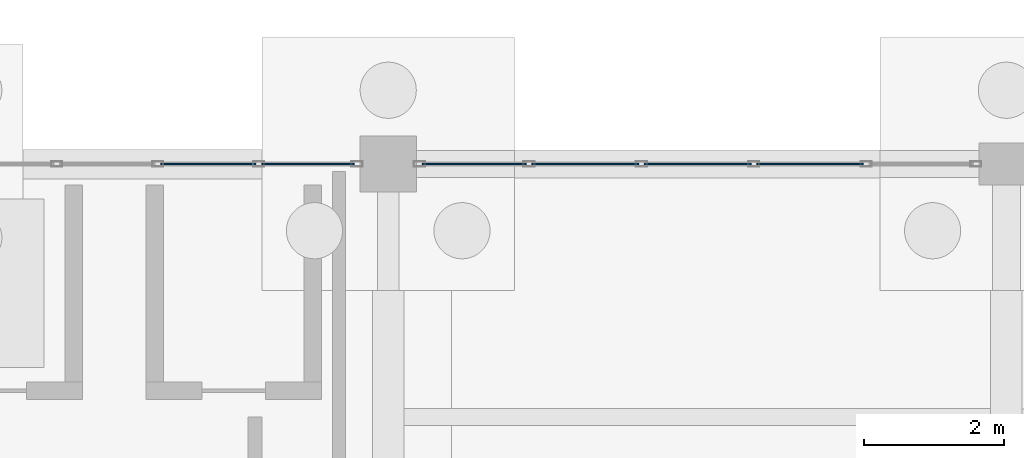
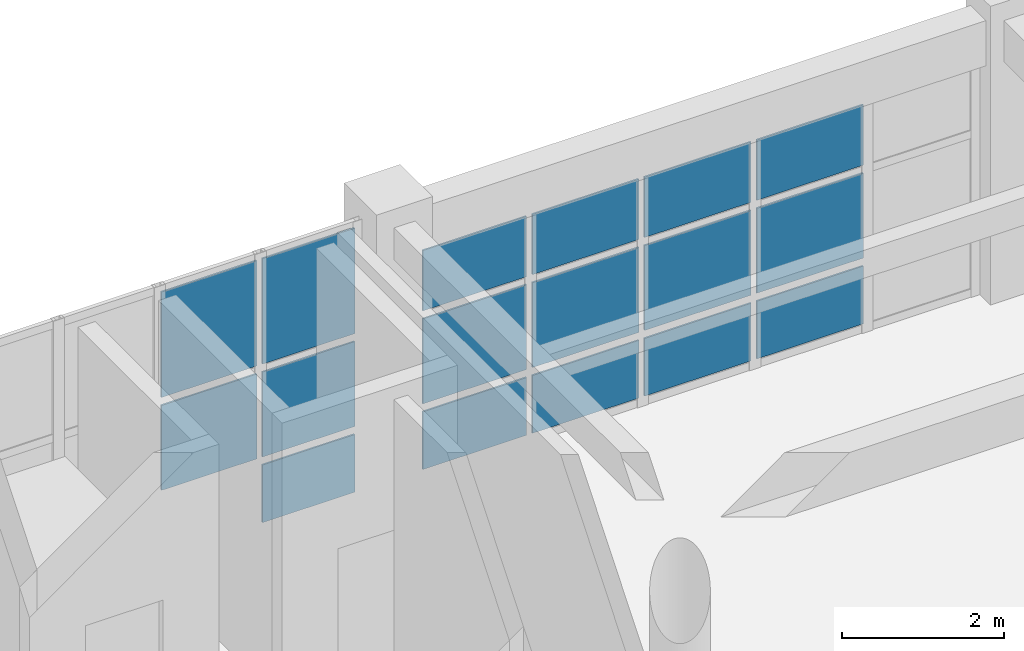
# One storey, part 113 of 166: 17 plates, 2 elements without a shape of their own.
"""IFC4 building model written with IfcOpenShell, lengths in metres."""

from ifc_helpers import new_model, si_unit, direction, frame, origin, origin_2d, place, context, subcontext, project, spatial, rectangle, extrude, material, layer, layer_set, type_object, element, aggregate, save


model = new_model("IFC4")

# Units and contexts
model_context = context("Model", 3, precision=1e-05, world=origin(), true_north=direction((0.0, 1.0)))
body_context = subcontext(model_context, "Body", "Model", "MODEL_VIEW")
ifc_project = project(units=[si_unit("LENGTHUNIT", "METRE"), si_unit("AREAUNIT", "SQUARE_METRE"), si_unit("VOLUMEUNIT", "CUBIC_METRE"), si_unit("PLANEANGLEUNIT", "RADIAN"), si_unit("MASSUNIT", "GRAM", prefix="KILO")], contexts=[model_context])

# Site, building, storey
site_placement = place(None, origin())
site = spatial("IfcSite", under=ifc_project, at=site_placement, CompositionType="ELEMENT")
building_placement = place(site_placement, origin())
building = spatial("IfcBuilding", under=site, at=building_placement, Name="Kharva Crest Polytechnic", CompositionType="ELEMENT")
storey_placement = place(building_placement, origin())
storey = spatial("IfcBuildingStorey", under=building, at=storey_placement, Name="L00", CompositionType="ELEMENT", Elevation=0.0)

# Curtain wall, plates
ifc_material = material(Name="Tempered insulated glass", Category="glass")
curtain_wall_type = type_object("IfcCurtainWallType", Name="CW-SYS-COURT", PredefinedType="USERDEFINED", material=ifc_material)
curtain_wall_1_placement = place(storey_placement, origin())
curtain_wall_1 = element("IfcCurtainWall", 1, at=curtain_wall_1_placement, inside=storey, type_object=curtain_wall_type, Name="L00 Glazed Curtain Wall CW-024", ObjectType="CURTAIN WALL", PredefinedType="USERDEFINED")
ifc_layer = layer(ifc_material, 0.02392578125, Name="Tempered insulated glass")
ifc_layer_set = layer_set([ifc_layer], Name="Tempered insulated glass")
plate_type = type_object("IfcPlateType", Name="CWP-GLZ-24", PredefinedType="CURTAIN_PANEL", material=ifc_layer_set)
plate_1_placement = place(storey_placement, frame((126.0048828125, 122.0, 0.119873046875), z_axis=(0.0, 0.0, 1.0), x_axis=(-1.0, 0.0, 0.0)))
plate_1 = element("IfcPlate", 2, at=plate_1_placement, type_object=plate_type, Name="CW-024 panel 2.1", PredefinedType="CURTAIN_PANEL", context=body_context, shape_type="SweptSolid", body=[
    extrude(rectangle(XDim=1.52001953125, YDim=0.02392578125, at=origin_2d()), origin(), (0.0, 0.0, 1.0), 0.8701171875),
])
plate_2_placement = place(storey_placement, frame((126.0048828125, 122.0, 1.10986328125), z_axis=(0.0, 0.0, 1.0), x_axis=(-1.0, 0.0, 0.0)))
plate_2 = element("IfcPlate", 3, at=plate_2_placement, type_object=plate_type, Name="CW-024 panel 2.2", PredefinedType="CURTAIN_PANEL", context=body_context, shape_type="SweptSolid", body=[
    extrude(rectangle(XDim=1.52001953125, YDim=0.02392578125, at=origin_2d()), origin(), (0.0, 0.0, 1.0), 1.280029296875),
])
plate_3_placement = place(storey_placement, frame((126.0048828125, 122.0, 2.51025390625), z_axis=(0.0, 0.0, 1.0), x_axis=(-1.0, 0.0, 0.0)))
plate_3 = element("IfcPlate", 4, at=plate_3_placement, type_object=plate_type, Name="CW-024 panel 2.3", PredefinedType="CURTAIN_PANEL", context=body_context, shape_type="SweptSolid", body=[
    extrude(rectangle(XDim=1.52001953125, YDim=0.02392578125, at=origin_2d()), origin(), (0.0, 0.0, 1.0), 0.909912109375),
])
plate_4_placement = place(storey_placement, frame((124.405029296875, 122.0, 0.119873046875), z_axis=(0.0, 0.0, 1.0), x_axis=(-1.0, 0.0, 0.0)))
plate_4 = element("IfcPlate", 5, at=plate_4_placement, type_object=plate_type, Name="CW-024 panel 3.1", PredefinedType="CURTAIN_PANEL", context=body_context, shape_type="SweptSolid", body=[
    extrude(rectangle(XDim=1.52001953125, YDim=0.02392578125, at=origin_2d()), origin(), (0.0, 0.0, 1.0), 0.8701171875),
])
plate_5_placement = place(storey_placement, frame((124.405029296875, 122.0, 1.10986328125), z_axis=(0.0, 0.0, 1.0), x_axis=(-1.0, 0.0, 0.0)))
plate_5 = element("IfcPlate", 6, at=plate_5_placement, type_object=plate_type, Name="CW-024 panel 3.2", PredefinedType="CURTAIN_PANEL", context=body_context, shape_type="SweptSolid", body=[
    extrude(rectangle(XDim=1.52001953125, YDim=0.02392578125, at=origin_2d()), origin(), (0.0, 0.0, 1.0), 1.280029296875),
])
plate_6_placement = place(storey_placement, frame((124.405029296875, 122.0, 2.51025390625), z_axis=(0.0, 0.0, 1.0), x_axis=(-1.0, 0.0, 0.0)))
plate_6 = element("IfcPlate", 7, at=plate_6_placement, type_object=plate_type, Name="CW-024 panel 3.3", PredefinedType="CURTAIN_PANEL", context=body_context, shape_type="SweptSolid", body=[
    extrude(rectangle(XDim=1.52001953125, YDim=0.02392578125, at=origin_2d()), origin(), (0.0, 0.0, 1.0), 0.909912109375),
])
plate_7_placement = place(storey_placement, frame((122.804931640625, 122.0, 0.119873046875), z_axis=(0.0, 0.0, 1.0), x_axis=(-1.0, 0.0, 0.0)))
plate_7 = element("IfcPlate", 8, at=plate_7_placement, type_object=plate_type, Name="CW-024 panel 4.1", PredefinedType="CURTAIN_PANEL", context=body_context, shape_type="SweptSolid", body=[
    extrude(rectangle(XDim=1.52001953125, YDim=0.02392578125, at=origin_2d()), origin(), (0.0, 0.0, 1.0), 0.8701171875),
])
plate_8_placement = place(storey_placement, frame((122.804931640625, 122.0, 1.10986328125), z_axis=(0.0, 0.0, 1.0), x_axis=(-1.0, 0.0, 0.0)))
plate_8 = element("IfcPlate", 9, at=plate_8_placement, type_object=plate_type, Name="CW-024 panel 4.2", PredefinedType="CURTAIN_PANEL", context=body_context, shape_type="SweptSolid", body=[
    extrude(rectangle(XDim=1.52001953125, YDim=0.02392578125, at=origin_2d()), origin(), (0.0, 0.0, 1.0), 1.280029296875),
])
plate_9_placement = place(storey_placement, frame((122.804931640625, 122.0, 2.51025390625), z_axis=(0.0, 0.0, 1.0), x_axis=(-1.0, 0.0, 0.0)))
plate_9 = element("IfcPlate", 10, at=plate_9_placement, type_object=plate_type, Name="CW-024 panel 4.3", PredefinedType="CURTAIN_PANEL", context=body_context, shape_type="SweptSolid", body=[
    extrude(rectangle(XDim=1.52001953125, YDim=0.02392578125, at=origin_2d()), origin(), (0.0, 0.0, 1.0), 0.909912109375),
])
plate_10_placement = place(storey_placement, frame((121.22509765625, 122.0, 0.119873046875), z_axis=(0.0, 0.0, 1.0), x_axis=(-1.0, 0.0, 0.0)))
plate_10 = element("IfcPlate", 11, at=plate_10_placement, type_object=plate_type, Name="CW-024 panel 5.1", PredefinedType="CURTAIN_PANEL", context=body_context, shape_type="SweptSolid", body=[
    extrude(rectangle(XDim=1.47998046875, YDim=0.02392578125, at=origin_2d()), origin(), (0.0, 0.0, 1.0), 0.8701171875),
])
plate_11_placement = place(storey_placement, frame((121.22509765625, 122.0, 1.10986328125), z_axis=(0.0, 0.0, 1.0), x_axis=(-1.0, 0.0, 0.0)))
plate_11 = element("IfcPlate", 12, at=plate_11_placement, type_object=plate_type, Name="CW-024 panel 5.2", PredefinedType="CURTAIN_PANEL", context=body_context, shape_type="SweptSolid", body=[
    extrude(rectangle(XDim=1.47998046875, YDim=0.02392578125, at=origin_2d()), origin(), (0.0, 0.0, 1.0), 1.280029296875),
])
plate_12_placement = place(storey_placement, frame((121.22509765625, 122.0, 2.51025390625), z_axis=(0.0, 0.0, 1.0), x_axis=(-1.0, 0.0, 0.0)))
plate_12 = element("IfcPlate", 13, at=plate_12_placement, type_object=plate_type, Name="CW-024 panel 5.3", PredefinedType="CURTAIN_PANEL", context=body_context, shape_type="SweptSolid", body=[
    extrude(rectangle(XDim=1.47998046875, YDim=0.02392578125, at=origin_2d()), origin(), (0.0, 0.0, 1.0), 0.909912109375),
])
aggregate(curtain_wall_1, [plate_1, plate_2, plate_3, plate_4, plate_5, plate_6, plate_7, plate_8, plate_9, plate_10, plate_11, plate_12])

curtain_wall_2_placement = place(storey_placement, origin())
curtain_wall_2 = element("IfcCurtainWall", 14, at=curtain_wall_2_placement, inside=storey, type_object=curtain_wall_type, Name="L00 Glazed Curtain Wall CW-025", ObjectType="CURTAIN WALL", PredefinedType="USERDEFINED")
plate_13_placement = place(storey_placement, frame((118.85595703125, 122.0, 0.119873046875), z_axis=(0.0, 0.0, 1.0), x_axis=(-1.0, 0.0, 0.0)))
plate_13 = element("IfcPlate", 15, at=plate_13_placement, type_object=plate_type, Name="CW-025 panel 1.1", PredefinedType="CURTAIN_PANEL", context=body_context, shape_type="SweptSolid", body=[
    extrude(rectangle(XDim=1.318115234375, YDim=0.02392578125, at=origin_2d()), origin(), (0.0, 0.0, 1.0), 0.8701171875),
])
plate_14_placement = place(storey_placement, frame((118.85595703125, 122.0, 1.10986328125), z_axis=(0.0, 0.0, 1.0), x_axis=(-1.0, 0.0, 0.0)))
plate_14 = element("IfcPlate", 16, at=plate_14_placement, type_object=plate_type, Name="CW-025 panel 1.2", PredefinedType="CURTAIN_PANEL", context=body_context, shape_type="SweptSolid", body=[
    extrude(rectangle(XDim=1.318115234375, YDim=0.02392578125, at=origin_2d()), origin(), (0.0, 0.0, 1.0), 1.280029296875),
])
plate_15_placement = place(storey_placement, frame((118.85595703125, 122.0, 2.509765625), z_axis=(0.0, 0.0, 1.0), x_axis=(-1.0, 0.0, 0.0)))
plate_15 = element("IfcPlate", 17, at=plate_15_placement, type_object=plate_type, Name="CW-025 panel 1.3", PredefinedType="CURTAIN_PANEL", context=body_context, shape_type="SweptSolid", body=[
    extrude(rectangle(XDim=1.318115234375, YDim=0.02392578125, at=origin_2d()), origin(), (0.0, 0.0, 1.0), 1.590087890625),
])
plate_16_placement = place(storey_placement, frame((117.43798828125, 122.0, 1.10986328125), z_axis=(0.0, 0.0, 1.0), x_axis=(-1.0, 0.0, 0.0)))
plate_16 = element("IfcPlate", 18, at=plate_16_placement, type_object=plate_type, Name="CW-025 panel 2.2", PredefinedType="CURTAIN_PANEL", context=body_context, shape_type="SweptSolid", body=[
    extrude(rectangle(XDim=1.35791015625, YDim=0.02392578125, at=origin_2d()), origin(), (0.0, 0.0, 1.0), 1.280029296875),
])
plate_17_placement = place(storey_placement, frame((117.43798828125, 122.0, 2.509765625), z_axis=(0.0, 0.0, 1.0), x_axis=(-1.0, 0.0, 0.0)))
plate_17 = element("IfcPlate", 19, at=plate_17_placement, type_object=plate_type, Name="CW-025 panel 2.3", PredefinedType="CURTAIN_PANEL", context=body_context, shape_type="SweptSolid", body=[
    extrude(rectangle(XDim=1.35791015625, YDim=0.02392578125, at=origin_2d()), origin(), (0.0, 0.0, 1.0), 1.590087890625),
])
aggregate(curtain_wall_2, [plate_13, plate_14, plate_15, plate_16, plate_17])

save(model, "model.ifc")
